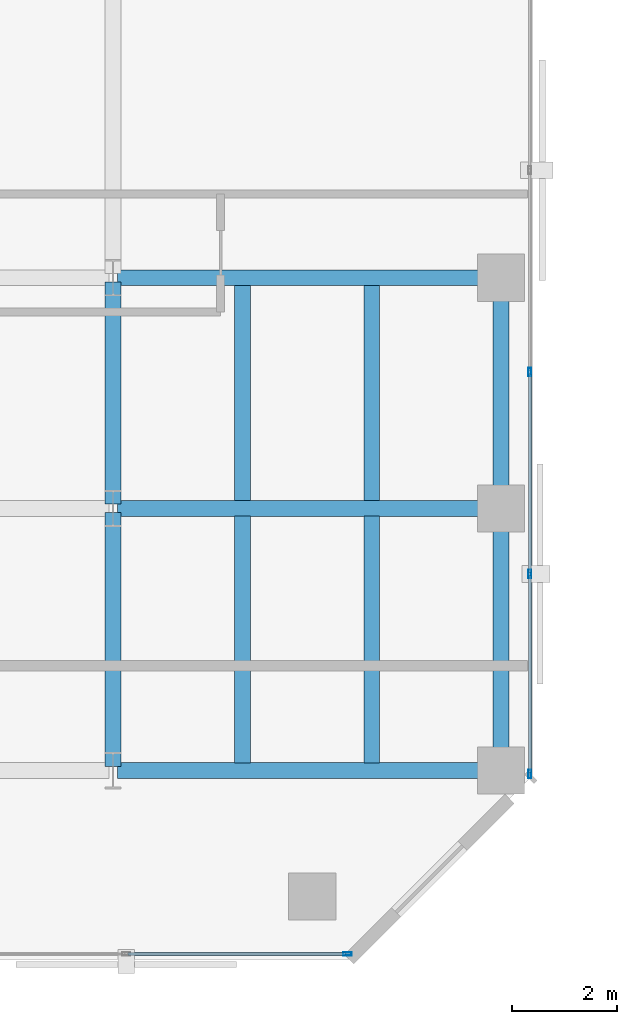
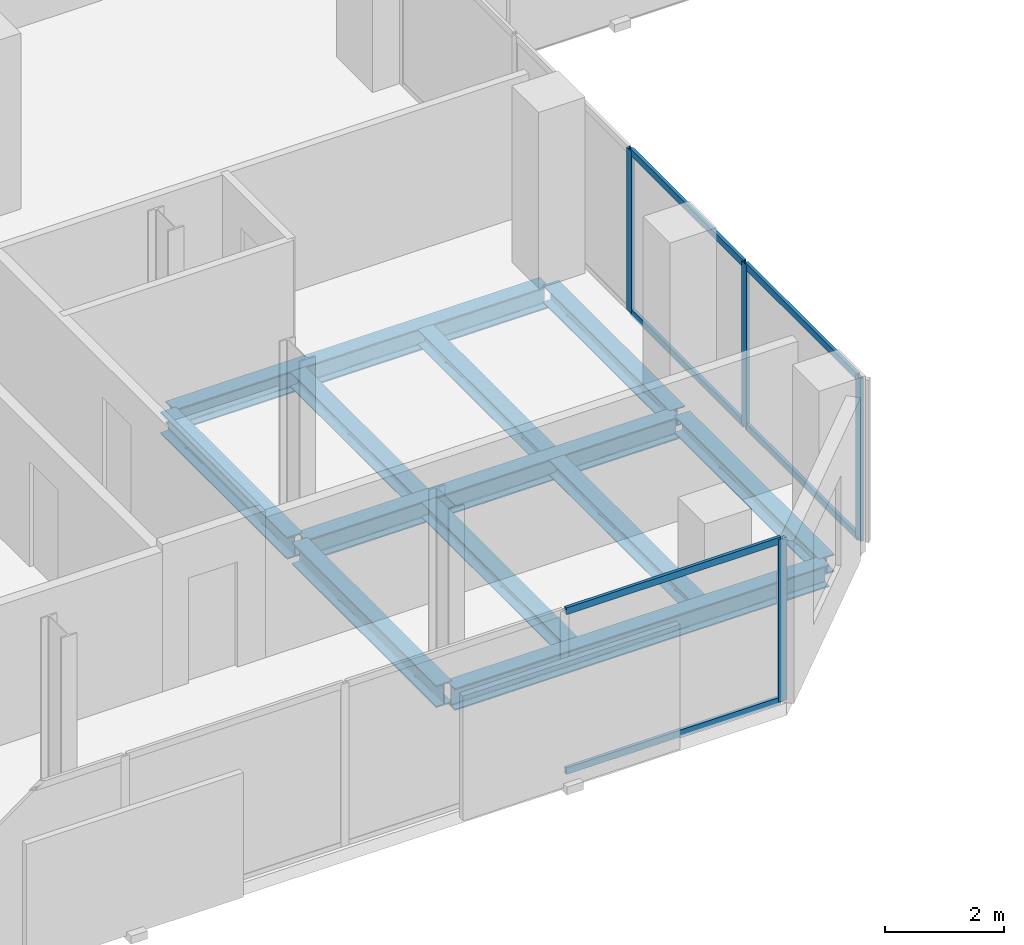
# One storey, part 7 of 34: 11 beams, 10 members, 2 elements without a shape of their own.
"""IFC4 building model written with IfcOpenShell, lengths in metres."""

from ifc_helpers import new_model, si_unit, direction, frame, origin, origin_2d, place, context, subcontext, project, spatial, hollow_rectangle, i_section, extrude, material, layer, layer_set, material_profile, profile_set, type_object, element, aggregate, save


model = new_model("IFC4")

# Units and contexts
model_context = context("Model", 3, precision=1e-05, world=origin(), true_north=direction((0.0, 1.0)))
body_context = subcontext(model_context, "Body", "Model", "MODEL_VIEW")
ifc_project = project(units=[si_unit("LENGTHUNIT", "METRE"), si_unit("AREAUNIT", "SQUARE_METRE"), si_unit("VOLUMEUNIT", "CUBIC_METRE"), si_unit("PLANEANGLEUNIT", "RADIAN"), si_unit("MASSUNIT", "GRAM", prefix="KILO")], contexts=[model_context])

# Site, building, storey
site_placement = place(None, origin())
site = spatial("IfcSite", under=ifc_project, at=site_placement, CompositionType="ELEMENT")
building_placement = place(site_placement, origin())
building = spatial("IfcBuilding", under=site, at=building_placement, Name="Catumbela Crestline Tower", CompositionType="ELEMENT")
storey_placement = place(building_placement, frame((0.0, 0.0, 115.2)))
storey = spatial("IfcBuildingStorey", under=building, at=storey_placement, Name="L29", CompositionType="ELEMENT", Elevation=115.2)

# Beams
ifc_material_1 = material(Name="Structural steel S355J2", Category="steel")
ifc_material_profile_1 = material_profile(ifc_material_1, i_section(OverallWidth=0.3, OverallDepth=0.45, WebThickness=0.014, FlangeThickness=0.026, FilletRadius=0.027, at=origin_2d()), Name="HEB 450")
ifc_profile_set_1 = profile_set([ifc_material_profile_1], Name="Structural steel S355J2")
beam_type_1 = type_object("IfcBeamType", Name="BG-HEB450", PredefinedType="BEAM", material=ifc_profile_set_1)
for number, where, z_axis, x_axis, name in (
    (1, (16.08, 8.6, -0.485), (1.0, 0.0, 0.0), (0.0, 1.0, 0.0), "L29 Beam BM-L29-WEW45"),
    (2, (16.08, 13.6, -0.485), (1.0, 0.0, 0.0), (0.0, 1.0, 0.0), "L29 Beam BM-L29-WEW48"),
    (3, (16.08, 18.0, -0.485), (1.0, 0.0, 0.0), (0.0, 1.0, 0.0), "L29 Beam BM-L29-WEW51"),
):
    element("IfcBeam", number, at=place(storey_placement, frame(where, z_axis=z_axis, x_axis=x_axis)), inside=storey, type_object=beam_type_1, Name=name, PredefinedType="BEAM", context=body_context, shape_type="SweptSolid", body=[
        extrude(i_section(OverallWidth=0.3, OverallDepth=0.45, WebThickness=0.014, FlangeThickness=0.026, FilletRadius=0.027, at=origin_2d()), origin(), (0.0, 0.0, 1.0), 7.24),
    ])
beam_1_placement = place(storey_placement, frame((16.0, 8.68, -0.485), z_axis=(0.0, 1.0, 0.0), x_axis=(-1.0, 0.0, 0.0)))
element("IfcBeam", 4, at=beam_1_placement, inside=storey, type_object=beam_type_1, Name="L29 Beam BM-L29-WNS58", PredefinedType="BEAM", context=body_context, shape_type="SweptSolid", body=[
    extrude(i_section(OverallWidth=0.3, OverallDepth=0.45, WebThickness=0.014, FlangeThickness=0.026, FilletRadius=0.027, at=origin_2d()), origin(), (0.0, 0.0, 1.0), 4.84),
])
beam_2_placement = place(storey_placement, frame((16.0, 13.68, -0.485), z_axis=(0.0, 1.0, 0.0), x_axis=(-1.0, 0.0, 0.0)))
element("IfcBeam", 5, at=beam_2_placement, inside=storey, type_object=beam_type_1, Name="L29 Beam BM-L29-WNS59", PredefinedType="BEAM", context=body_context, shape_type="SweptSolid", body=[
    extrude(i_section(OverallWidth=0.3, OverallDepth=0.45, WebThickness=0.014, FlangeThickness=0.026, FilletRadius=0.027, at=origin_2d()), origin(), (0.0, 0.0, 1.0), 4.24),
])
ifc_material_profile_2 = material_profile(ifc_material_1, i_section(OverallWidth=0.3, OverallDepth=0.31, WebThickness=0.009, FlangeThickness=0.0155, FilletRadius=0.027, at=origin_2d()), Name="HEA 320")
ifc_profile_set_2 = profile_set([ifc_material_profile_2], Name="Structural steel S355J2")
beam_type_2 = type_object("IfcBeamType", Name="BJ-HEA320", PredefinedType="JOIST", material=ifc_profile_set_2)
for number, where, z_axis, x_axis, name in (
    (6, (18.467, 8.747, -0.415), (0.0, 1.0, 0.0), (-1.0, 0.0, 0.0), "L29 Joist JS-L29-WG67"),
    (7, (20.933, 8.747, -0.415), (0.0, 1.0, 0.0), (-1.0, 0.0, 0.0), "L29 Joist JS-L29-WG68"),
):
    element("IfcBeam", number, at=place(storey_placement, frame(where, z_axis=z_axis, x_axis=x_axis)), inside=storey, type_object=beam_type_2, Name=name, PredefinedType="JOIST", context=body_context, shape_type="SweptSolid", body=[
        extrude(i_section(OverallWidth=0.3, OverallDepth=0.31, WebThickness=0.009, FlangeThickness=0.0155, FilletRadius=0.027, at=origin_2d()), origin(), (0.0, 0.0, 1.0), 4.706),
    ])
for number, where, z_axis, x_axis, name in (
    (8, (18.467, 13.747, -0.415), (0.0, 1.0, 0.0), (-1.0, 0.0, 0.0), "L29 Joist JS-L29-WG73"),
    (9, (20.933, 13.747, -0.415), (0.0, 1.0, 0.0), (-1.0, 0.0, 0.0), "L29 Joist JS-L29-WG74"),
):
    element("IfcBeam", number, at=place(storey_placement, frame(where, z_axis=z_axis, x_axis=x_axis)), inside=storey, type_object=beam_type_2, Name=name, PredefinedType="JOIST", context=body_context, shape_type="SweptSolid", body=[
        extrude(i_section(OverallWidth=0.3, OverallDepth=0.31, WebThickness=0.009, FlangeThickness=0.0155, FilletRadius=0.027, at=origin_2d()), origin(), (0.0, 0.0, 1.0), 4.106),
    ])

# Curtain wall, member
ifc_material_2 = material(Name="Aluminium alloy AW-6060-T66", Category="aluminium")
ifc_layer = layer(ifc_material_2, 0.18, Name="Aluminium alloy AW-6060-T66")
ifc_layer_set = layer_set([ifc_layer], Name="Aluminium alloy AW-6060-T66")
curtain_wall_type = type_object("IfcCurtainWallType", Name="CWU-Z2", PredefinedType="USERDEFINED", material=ifc_layer_set)
curtain_wall_1_placement = place(storey_placement, origin())
curtain_wall_1 = element("IfcCurtainWall", 10, at=curtain_wall_1_placement, inside=storey, type_object=curtain_wall_type, Name="L29 Unitised Curtain Wall CW-L29-E0S1", ObjectType="UNITISED", PredefinedType="USERDEFINED")
ifc_material_profile_3 = material_profile(ifc_material_2, hollow_rectangle(XDim=0.06, YDim=0.16, WallThickness=0.004, at=origin_2d()), Name="ALU 160x60x4")
ifc_profile_set_3 = profile_set([ifc_material_profile_3], Name="Aluminium alloy AW-6060-T66")
member_type_1 = type_object("IfcMemberType", Name="MUL-160X60", PredefinedType="MULLION", material=ifc_profile_set_3)
member_1_placement = place(storey_placement, frame((20.4675, 5.1, 0.0), z_axis=(0.0, 0.0, 1.0), x_axis=(0.0, 1.0, 0.0)))
member_1 = element("IfcMember", 11, at=member_1_placement, type_object=member_type_1, Name="CWU-Z2 mullion 5", PredefinedType="MULLION", context=body_context, shape_type="SweptSolid", body=[
    extrude(hollow_rectangle(XDim=0.06, YDim=0.16, WallThickness=0.004, at=origin_2d()), origin(), (0.0, 0.0, 1.0), 3.33),
])

# Curtain wall, members
curtain_wall_2_placement = place(storey_placement, origin())
curtain_wall_2 = element("IfcCurtainWall", 12, at=curtain_wall_2_placement, inside=storey, type_object=curtain_wall_type, Name="L29 Unitised Curtain Wall CW-L29-E2S1", ObjectType="UNITISED", PredefinedType="USERDEFINED")
member_2_placement = place(storey_placement, frame((23.95, 8.5325, 0.0), z_axis=(0.0, 0.0, 1.0), x_axis=(-1.0, 0.0, 0.0)))
member_2 = element("IfcMember", 13, at=member_2_placement, type_object=member_type_1, Name="CWU-Z2 mullion 1", PredefinedType="MULLION", context=body_context, shape_type="SweptSolid", body=[
    extrude(hollow_rectangle(XDim=0.06, YDim=0.16, WallThickness=0.004, at=origin_2d()), origin(), (0.0, 0.0, 1.0), 3.33),
])
member_3_placement = place(storey_placement, frame((23.95, 12.35, 0.0), z_axis=(0.0, 0.0, 1.0), x_axis=(-1.0, 0.0, 0.0)))
member_3 = element("IfcMember", 14, at=member_3_placement, type_object=member_type_1, Name="CWU-Z2 mullion 2", PredefinedType="MULLION", context=body_context, shape_type="SweptSolid", body=[
    extrude(hollow_rectangle(XDim=0.06, YDim=0.16, WallThickness=0.004, at=origin_2d()), origin(), (0.0, 0.0, 1.0), 3.33),
])
member_4_placement = place(storey_placement, frame((23.95, 16.2, 0.0), z_axis=(0.0, 0.0, 1.0), x_axis=(-1.0, 0.0, 0.0)))
member_4 = element("IfcMember", 15, at=member_4_placement, type_object=member_type_1, Name="CWU-Z2 mullion 3", PredefinedType="MULLION", context=body_context, shape_type="SweptSolid", body=[
    extrude(hollow_rectangle(XDim=0.06, YDim=0.16, WallThickness=0.004, at=origin_2d()), origin(), (0.0, 0.0, 1.0), 3.33),
])

# Beams
ifc_material_profile_4 = material_profile(ifc_material_1, i_section(OverallWidth=0.3, OverallDepth=0.36, WebThickness=0.0125, FlangeThickness=0.0225, FilletRadius=0.027, at=origin_2d()), Name="HEB 360")
ifc_profile_set_4 = profile_set([ifc_material_profile_4], Name="Structural steel S355J2")
beam_type_3 = type_object("IfcBeamType", Name="BS-HEB360", PredefinedType="SPANDREL", material=ifc_profile_set_4)
beam_3_placement = place(storey_placement, frame((23.4, 8.68, -0.44), z_axis=(0.0, 1.0, 0.0), x_axis=(-1.0, 0.0, 0.0)))
element("IfcBeam", 16, at=beam_3_placement, inside=storey, type_object=beam_type_3, Name="L29 Spandrel SP-L29-WNS61", PredefinedType="SPANDREL", context=body_context, shape_type="SweptSolid", body=[
    extrude(i_section(OverallWidth=0.3, OverallDepth=0.36, WebThickness=0.0125, FlangeThickness=0.0225, FilletRadius=0.027, at=origin_2d()), origin(), (0.0, 0.0, 1.0), 4.84),
])
beam_4_placement = place(storey_placement, frame((23.4, 13.68, -0.44), z_axis=(0.0, 1.0, 0.0), x_axis=(-1.0, 0.0, 0.0)))
element("IfcBeam", 17, at=beam_4_placement, inside=storey, type_object=beam_type_3, Name="L29 Spandrel SP-L29-WNS62", PredefinedType="SPANDREL", context=body_context, shape_type="SweptSolid", body=[
    extrude(i_section(OverallWidth=0.3, OverallDepth=0.36, WebThickness=0.0125, FlangeThickness=0.0225, FilletRadius=0.027, at=origin_2d()), origin(), (0.0, 0.0, 1.0), 4.24),
])

# Member
ifc_material_profile_5 = material_profile(ifc_material_2, hollow_rectangle(XDim=0.06, YDim=0.14, WallThickness=0.004, at=origin_2d()), Name="ALU 140x60x4")
ifc_profile_set_5 = profile_set([ifc_material_profile_5], Name="Aluminium alloy AW-6060-T66")
member_type_2 = type_object("IfcMemberType", Name="TRN-140X60", PredefinedType="USERDEFINED", material=ifc_profile_set_5)
member_5_placement = place(storey_placement, frame((16.2825, 5.1, 0.03), z_axis=(1.0, 0.0, 0.0), x_axis=(0.0, 1.0, 0.0)))
member_5 = element("IfcMember", 18, at=member_5_placement, type_object=member_type_2, Name="CWU-Z2 transom 4.1", ObjectType="TRANSOM", PredefinedType="USERDEFINED", context=body_context, shape_type="SweptSolid", body=[
    extrude(hollow_rectangle(XDim=0.06, YDim=0.14, WallThickness=0.004, at=origin_2d()), origin(), (0.0, 0.0, 1.0), 4.1525),
])

member_6_placement = place(storey_placement, frame((16.2825, 5.1, 3.3), z_axis=(1.0, 0.0, 0.0), x_axis=(0.0, 1.0, 0.0)))
member_6 = element("IfcMember", 19, at=member_6_placement, type_object=member_type_2, Name="CWU-Z2 transom 4.2", ObjectType="TRANSOM", PredefinedType="USERDEFINED", context=body_context, shape_type="SweptSolid", body=[
    extrude(hollow_rectangle(XDim=0.06, YDim=0.14, WallThickness=0.004, at=origin_2d()), origin(), (0.0, 0.0, 1.0), 4.1525),
])

aggregate(curtain_wall_1, [member_1, member_5, member_6])

member_7_placement = place(storey_placement, frame((23.95, 8.565, 0.03), z_axis=(0.0, 1.0, 0.0), x_axis=(-1.0, 0.0, 0.0)))
member_7 = element("IfcMember", 20, at=member_7_placement, type_object=member_type_2, Name="CWU-Z2 transom 1.1", ObjectType="TRANSOM", PredefinedType="USERDEFINED", context=body_context, shape_type="SweptSolid", body=[
    extrude(hollow_rectangle(XDim=0.06, YDim=0.14, WallThickness=0.004, at=origin_2d()), origin(), (0.0, 0.0, 1.0), 3.7525),
])

member_8_placement = place(storey_placement, frame((23.95, 8.565, 3.3), z_axis=(0.0, 1.0, 0.0), x_axis=(-1.0, 0.0, 0.0)))
member_8 = element("IfcMember", 21, at=member_8_placement, type_object=member_type_2, Name="CWU-Z2 transom 1.2", ObjectType="TRANSOM", PredefinedType="USERDEFINED", context=body_context, shape_type="SweptSolid", body=[
    extrude(hollow_rectangle(XDim=0.06, YDim=0.14, WallThickness=0.004, at=origin_2d()), origin(), (0.0, 0.0, 1.0), 3.7525),
])

member_9_placement = place(storey_placement, frame((23.95, 12.3825, 0.03), z_axis=(0.0, 1.0, 0.0), x_axis=(-1.0, 0.0, 0.0)))
member_9 = element("IfcMember", 22, at=member_9_placement, type_object=member_type_2, Name="CWU-Z2 transom 2.1", ObjectType="TRANSOM", PredefinedType="USERDEFINED", context=body_context, shape_type="SweptSolid", body=[
    extrude(hollow_rectangle(XDim=0.06, YDim=0.14, WallThickness=0.004, at=origin_2d()), origin(), (0.0, 0.0, 1.0), 3.785),
])

member_10_placement = place(storey_placement, frame((23.95, 12.3825, 3.3), z_axis=(0.0, 1.0, 0.0), x_axis=(-1.0, 0.0, 0.0)))
member_10 = element("IfcMember", 23, at=member_10_placement, type_object=member_type_2, Name="CWU-Z2 transom 2.2", ObjectType="TRANSOM", PredefinedType="USERDEFINED", context=body_context, shape_type="SweptSolid", body=[
    extrude(hollow_rectangle(XDim=0.06, YDim=0.14, WallThickness=0.004, at=origin_2d()), origin(), (0.0, 0.0, 1.0), 3.785),
])

aggregate(curtain_wall_2, [member_2, member_3, member_4, member_7, member_8, member_9, member_10])

save(model, "model.ifc")
